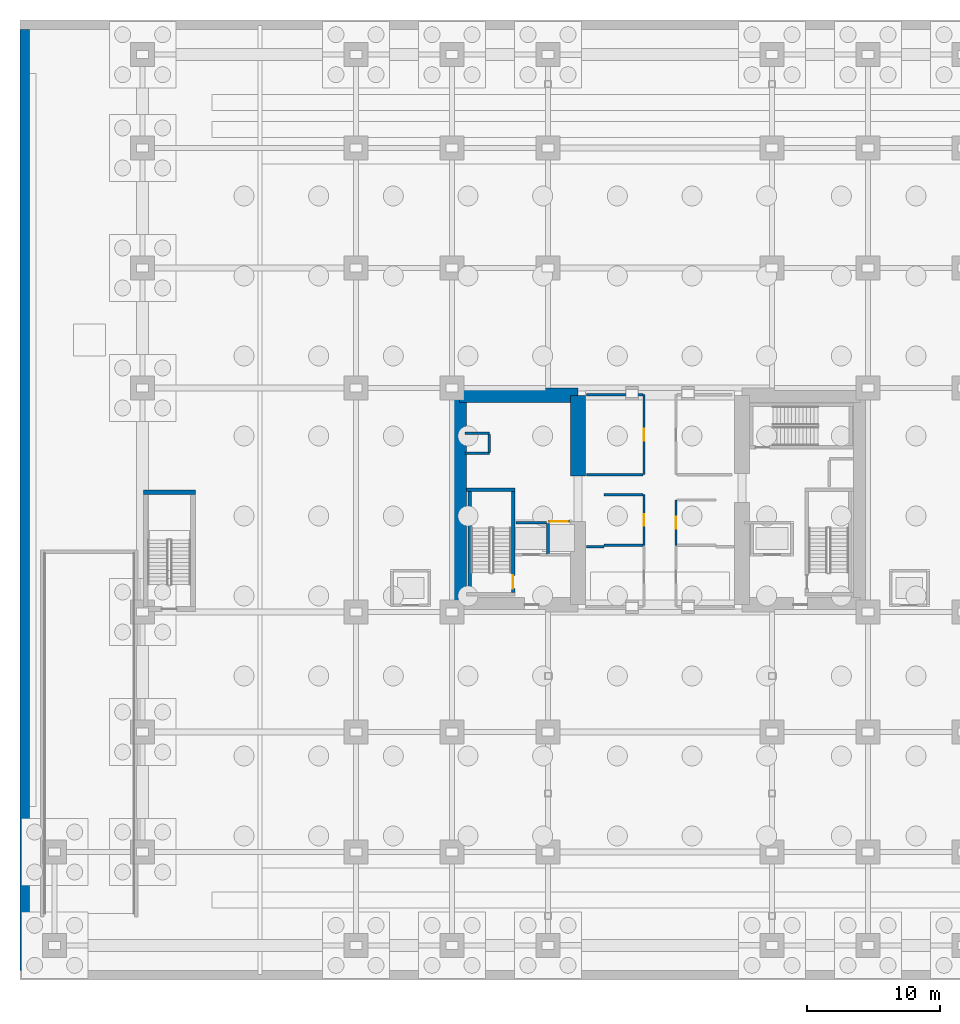
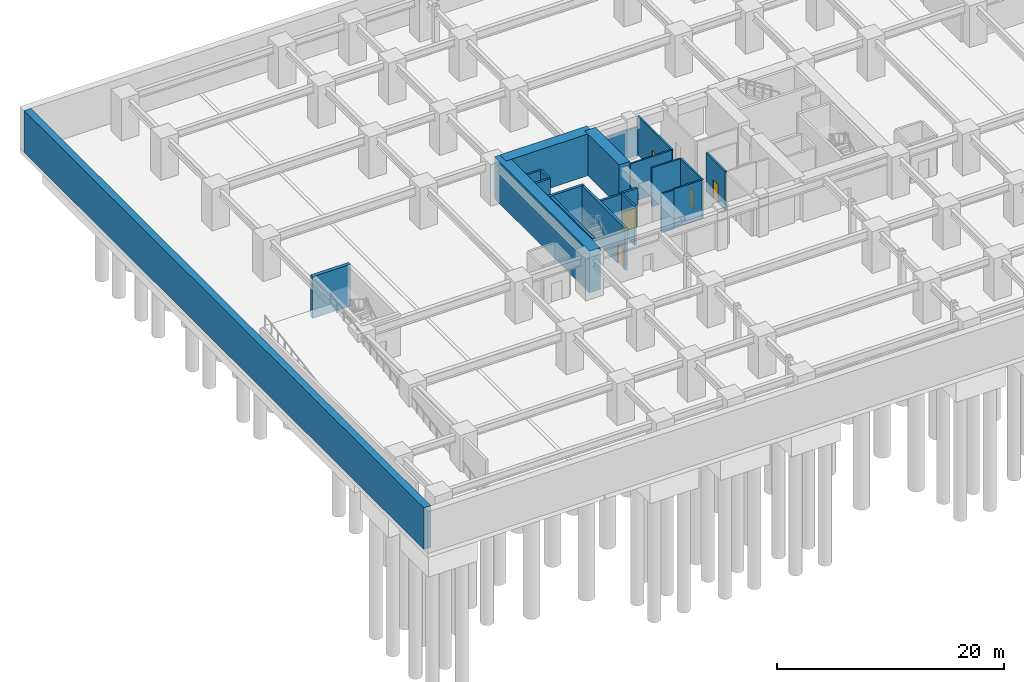
# One storey, part 12 of 23: 22 walls, 5 doors, 5 openings.
"""IFC4 building model written with IfcOpenShell, lengths in metres."""

from ifc_helpers import new_model, si_unit, direction, frame, frame_2d, origin, place, context, subcontext, project, spatial, rectangle, extrude, material, layer, layer_set, type_object, element, fill, save


model = new_model("IFC4")

# Units and contexts
model_context = context("Model", 3, precision=1e-05, world=origin(), true_north=direction((0.0, 1.0)))
body_context = subcontext(model_context, "Body", "Model", "MODEL_VIEW")
ifc_project = project(units=[si_unit("LENGTHUNIT", "METRE"), si_unit("AREAUNIT", "SQUARE_METRE"), si_unit("VOLUMEUNIT", "CUBIC_METRE"), si_unit("PLANEANGLEUNIT", "RADIAN"), si_unit("MASSUNIT", "GRAM", prefix="KILO")], contexts=[model_context])

# Site, building, storey
site_placement = place(None, origin())
site = spatial("IfcSite", under=ifc_project, at=site_placement, CompositionType="ELEMENT")
building_placement = place(site_placement, origin())
building = spatial("IfcBuilding", under=site, at=building_placement, Name="Kiyonajd Concourse Tower", CompositionType="ELEMENT")
storey_placement = place(building_placement, frame((0.0, 0.0, -9.0)))
storey = spatial("IfcBuildingStorey", under=building, at=storey_placement, Name="B2", CompositionType="ELEMENT", Elevation=-9.0)

# Walls
ifc_material_1 = material(Name="Concrete C80/95", Category="concrete")
ifc_layer_1 = layer(ifc_material_1, 1.10009765625)
ifc_layer_set_1 = layer_set([ifc_layer_1], Name="Concrete C80/95")
wall_type_1 = type_object("IfcWallType", Name="WL-CORE-1100", PredefinedType="SHEAR", material=ifc_layer_set_1)
wall_1_placement = place(storey_placement, frame((32.949951171875, 27.60009765625, 0.0), z_axis=(0.0, 0.0, 1.0), x_axis=(0.0, 1.0, 0.0)))
element("IfcWall", 1, at=wall_1_placement, inside=storey, type_object=wall_type_1, Name="B2 West Core Outer Shear Wall", PredefinedType="SHEAR", context=body_context, shape_type="SweptSolid", body=[
    extrude(rectangle(XDim=16.7998046875, YDim=1.10009765625, at=frame_2d((8.39990234375, 0.0))), origin(), (0.0, 0.0, 1.0), 4.5),
])
wall_2_placement = place(storey_placement, frame((41.85009765625, 37.800048828125, 0.0), z_axis=(0.0, 0.0, 1.0), x_axis=(0.0, 1.0, 0.0)))
element("IfcWall", 2, at=wall_2_placement, inside=storey, type_object=wall_type_1, Name="B2 West Core Inner North Shear Wall", PredefinedType="SHEAR", context=body_context, shape_type="SweptSolid", body=[
    extrude(rectangle(XDim=6.050048828125, YDim=1.10009765625, at=frame_2d((3.02490234375, 0.0))), origin(), (0.0, 0.0, 1.0), 4.5),
])
wall_3_placement = place(storey_placement, frame((32.949951171875, 43.85009765625, 0.0), z_axis=(0.0, 0.0, 1.0), x_axis=(1.0, 0.0, 0.0)))
element("IfcWall", 3, at=wall_3_placement, inside=storey, type_object=wall_type_1, Name="B2 West Core North Shear Wall", PredefinedType="SHEAR", context=body_context, shape_type="SweptSolid", body=[
    extrude(rectangle(XDim=8.900146484375, YDim=1.10009765625, at=frame_2d((4.4501953125, 0.0))), origin(), (0.0, 0.0, 1.0), 4.5),
])
ifc_material_2 = material(Name="Concrete C50/60", Category="concrete")
ifc_layer_2 = layer(ifc_material_2, 0.699951171875)
ifc_layer_set_2 = layer_set([ifc_layer_2], Name="Concrete C50/60")
wall_type_2 = type_object("IfcWallType", Name="WL-RET-700", PredefinedType="SOLIDWALL", material=ifc_layer_set_2)
wall_4_placement = place(storey_placement, frame((0.35009765625, 0.699951171875, 0.0), z_axis=(0.0, 0.0, 1.0), x_axis=(0.0, 1.0, 0.0)))
element("IfcWall", 4, at=wall_4_placement, inside=storey, type_object=wall_type_2, Name="B2 West Basement Retaining Wall", PredefinedType="SOLIDWALL", context=body_context, shape_type="SweptSolid", body=[
    extrude(rectangle(XDim=70.60009765625, YDim=0.699951171875, at=frame_2d((35.300048828125, 0.0))), origin(), (0.0, 0.0, 1.0), 4.5),
])
ifc_material_3 = material(Name="Gypsum Board on Cold-Formed Steel Stud", Category="steel")
ifc_layer_3 = layer(ifc_material_3, 0.2099609375)
ifc_layer_set_3 = layer_set([ifc_layer_3], Name="Gypsum Board on Cold-Formed Steel Stud")
wall_type_3 = type_object("IfcWallType", Name="WL-SHAFT-210", PredefinedType="PARTITIONING", material=ifc_layer_set_3)
for number, where, z_axis, x_axis, name in (
    (5, (33.360107421875, 39.5, 0.0), (0.0, 0.0, 1.0), (1.0, 0.0, 0.0), "B2 Shaft Enclosure Wall"),
    (6, (33.360107421875, 41.0, 0.0), (0.0, 0.0, 1.0), (1.0, 0.0, 0.0), "B2 Shaft Enclosure Wall"),
):
    element("IfcWall", number, at=place(storey_placement, frame(where, z_axis=z_axis, x_axis=x_axis)), inside=storey, type_object=wall_type_3, Name=name, PredefinedType="PARTITIONING", context=body_context, shape_type="SweptSolid", body=[
        extrude(rectangle(XDim=1.85986328125, YDim=0.2099609375, at=frame_2d((0.929931640625, 0.0))), origin(), (0.0, 0.0, 1.0), 4.179931640625),
    ])
wall_5_placement = place(storey_placement, frame((35.199951171875, 39.580078125, 0.0), z_axis=(0.0, 0.0, 1.0), x_axis=(0.0, 1.0, 0.0)))
element("IfcWall", 7, at=wall_5_placement, inside=storey, type_object=wall_type_3, Name="B2 Shaft Enclosure Wall", PredefinedType="PARTITIONING", context=body_context, shape_type="SweptSolid", body=[
    extrude(rectangle(XDim=1.33984375, YDim=0.2099609375, at=frame_2d((0.669921875, 0.0))), origin(), (0.0, 0.0, 1.0), 4.179931640625),
])
wall_6_placement = place(storey_placement, frame((37.199951171875, 34.300048828125, 0.0), z_axis=(0.0, 0.0, 1.0), x_axis=(1.0, 0.0, 0.0)))
element("IfcWall", 8, at=wall_6_placement, inside=storey, type_object=wall_type_3, Name="B2 Shaft Enclosure Wall", PredefinedType="PARTITIONING", context=body_context, shape_type="SweptSolid", body=[
    extrude(rectangle(XDim=2.300048828125, YDim=0.2099609375, at=frame_2d((1.14990234375, 0.0))), origin(), (0.0, 0.0, 1.0), 4.179931640625),
])
wall_7_placement = place(storey_placement, frame((39.60009765625, 31.9599609375, 0.0), z_axis=(0.0, 0.0, 1.0), x_axis=(0.0, 1.0, 0.0)))
element("IfcWall", 9, at=wall_7_placement, inside=storey, type_object=wall_type_3, Name="B2 Shaft Enclosure Wall", PredefinedType="PARTITIONING", context=body_context, shape_type="SweptSolid", body=[
    extrude(rectangle(XDim=2.280029296875, YDim=0.2099609375, at=frame_2d((1.14013671875, 0.0))), origin(), (0.0, 0.0, 1.0), 4.179931640625),
])

# Wall, opening, door
wall_8_placement = place(storey_placement, frame((39.60009765625, 34.39990234375, 0.0), z_axis=(0.0, 0.0, 1.0), x_axis=(1.0, 0.0, 0.0)))
wall_8 = element("IfcWall", 10, at=wall_8_placement, inside=storey, type_object=wall_type_3, Name="B2 Shaft Enclosure Wall", PredefinedType="PARTITIONING", context=body_context, shape_type="SweptSolid", body=[
    extrude(rectangle(XDim=1.599853515625, YDim=0.2099609375, at=frame_2d((0.7998046875, 0.0))), origin(), (0.0, 0.0, 1.0), 4.179931640625),
])
opening_1_placement = place(wall_8_placement, frame((0.10009765625, 0.0, 0.0)))
opening_1 = element("IfcOpeningElement", 11, at=opening_1_placement, cuts=wall_8, Name="Opening LD3", PredefinedType="OPENING", context=body_context, shape_type="SweptSolid", body=[
    extrude(rectangle(XDim=1.39990234375, YDim=2.06005859375, at=frame_2d((0.699951171875, 1.030029296875))), frame((0.0, 0.114990234375, 0.0), z_axis=(0.0, -1.0, 0.0), x_axis=(1.0, 0.0, 0.0)), (0.0, 0.0, 1.0), 0.22998046875),
])
ifc_material_4 = material(Name="Brushed Stainless Steel Cab Assembly", Category="steel")
door_type_1 = type_object("IfcDoorType", Name="DR-LD-1400", OperationType="DOUBLE_DOOR_SLIDING", PredefinedType="DOOR", material=ifc_material_4)
door_1_placement = place(opening_1_placement, origin())
door_1 = element("IfcDoor", 12, at=door_1_placement, inside=storey, type_object=door_type_1, Name="B2 Lift SVL1 Sliding Landing Door", OperationType="DOUBLE_DOOR_SLIDING", OverallHeight=2.06005859375, OverallWidth=1.39990234375, PredefinedType="DOOR", context=body_context, shape_type="SweptSolid", body=[
    extrude(rectangle(XDim=1.39990234375, YDim=2.06005859375, at=frame_2d((0.699951171875, 1.030029296875))), frame((0.0, 0.02490234375, 0.0), z_axis=(0.0, -1.0, 0.0), x_axis=(1.0, 0.0, 0.0)), (0.0, 0.0, 1.0), 0.050048828125),
])
fill(opening_1, door_1)

ifc_layer_4 = layer(ifc_material_3, 0.169921875)
ifc_layer_set_4 = layer_set([ifc_layer_4], Name="Gypsum Board on Cold-Formed Steel Stud")
wall_type_4 = type_object("IfcWallType", Name="WL-SMK-170", PredefinedType="PARTITIONING", material=ifc_layer_set_4)
wall_9_placement = place(storey_placement, frame((46.800048828125, 32.60009765625, 0.0), z_axis=(0.0, 0.0, 1.0), x_axis=(0.0, 1.0, 0.0)))
wall_9 = element("IfcWall", 13, at=wall_9_placement, inside=storey, type_object=wall_type_4, Name="B2 Interior Partition Wall", PredefinedType="PARTITIONING", context=body_context, shape_type="SweptSolid", body=[
    extrude(rectangle(XDim=3.7998046875, YDim=0.169921875, at=frame_2d((1.89990234375, 0.0))), origin(), (0.0, 0.0, 1.0), 4.179931640625),
])
opening_2_placement = place(wall_9_placement, frame((1.449951171875, 0.0, 0.0)))
opening_2 = element("IfcOpeningElement", 14, at=opening_2_placement, cuts=wall_9, Name="Opening DI2", PredefinedType="OPENING", context=body_context, shape_type="SweptSolid", body=[
    extrude(rectangle(XDim=0.89990234375, YDim=2.02001953125, at=frame_2d((0.449951171875, 1.010009765625))), frame((0.0, 0.094970703125, 0.0), z_axis=(0.0, -1.0, 0.0), x_axis=(1.0, 0.0, 0.0)), (0.0, 0.0, 1.0), 0.18994140625),
])
ifc_material_5 = material(Name="Natural Oak Acoustic Timber Veneer", Category="wood")
door_type_2 = type_object("IfcDoorType", Name="DR-INT-900", OperationType="NOTDEFINED", PredefinedType="DOOR", material=ifc_material_5)
door_2_placement = place(opening_2_placement, origin())
door_2 = element("IfcDoor", 15, at=door_2_placement, inside=storey, type_object=door_type_2, Name="B2 Interior Door", OperationType="SINGLE_SWING_LEFT", OverallHeight=2.02001953125, OverallWidth=0.89990234375, PredefinedType="DOOR", context=body_context, shape_type="SweptSolid", body=[
    extrude(rectangle(XDim=0.89990234375, YDim=2.02001953125, at=frame_2d((0.449951171875, 1.010009765625))), frame((0.0, 0.02490234375, 0.0), z_axis=(0.0, -1.0, 0.0), x_axis=(1.0, 0.0, 0.0)), (0.0, 0.0, 1.0), 0.050048828125),
])
fill(opening_2, door_2)

# Walls
for number, where, z_axis, x_axis, name in (
    (16, (43.800048828125, 32.60009765625, 0.0), (0.0, 0.0, 1.0), (1.0, 0.0, 0.0), "B2 Interior Partition Wall"),
    (17, (43.800048828125, 36.39990234375, 0.0), (0.0, 0.0, 1.0), (1.0, 0.0, 0.0), "B2 Interior Partition Wall"),
):
    element("IfcWall", number, at=place(storey_placement, frame(where, z_axis=z_axis, x_axis=x_axis)), inside=storey, type_object=wall_type_4, Name=name, PredefinedType="PARTITIONING", context=body_context, shape_type="SweptSolid", body=[
        extrude(rectangle(XDim=2.912841796875, YDim=0.169921875, at=frame_2d((1.45654296875, 0.0))), origin(), (0.0, 0.0, 1.0), 4.179931640625),
    ])

# Wall, opening, door
wall_10_placement = place(storey_placement, frame((49.199951171875, 32.60009765625, 0.0), z_axis=(0.0, 0.0, 1.0), x_axis=(0.0, 1.0, 0.0)))
wall_10 = element("IfcWall", 18, at=wall_10_placement, inside=storey, type_object=wall_type_4, Name="B2 Interior Partition Wall", PredefinedType="PARTITIONING", context=body_context, shape_type="SweptSolid", body=[
    extrude(rectangle(XDim=3.39990234375, YDim=0.169921875, at=frame_2d((1.699951171875, 0.0))), origin(), (0.0, 0.0, 1.0), 4.179931640625),
])
opening_3_placement = place(wall_10_placement, frame((1.25, 0.0, 0.0)))
opening_3 = element("IfcOpeningElement", 19, at=opening_3_placement, cuts=wall_10, Name="Opening DI2", PredefinedType="OPENING", context=body_context, shape_type="SweptSolid", body=[
    extrude(rectangle(XDim=0.89990234375, YDim=2.02001953125, at=frame_2d((0.449951171875, 1.010009765625))), frame((0.0, 0.094970703125, 0.0), z_axis=(0.0, -1.0, 0.0), x_axis=(1.0, 0.0, 0.0)), (0.0, 0.0, 1.0), 0.18994140625),
])
door_3_placement = place(opening_3_placement, origin())
door_3 = element("IfcDoor", 20, at=door_3_placement, inside=storey, type_object=door_type_2, Name="B2 Interior Door", OperationType="SINGLE_SWING_RIGHT", OverallHeight=2.02001953125, OverallWidth=0.89990234375, PredefinedType="DOOR", context=body_context, shape_type="SweptSolid", body=[
    extrude(rectangle(XDim=0.89990234375, YDim=2.02001953125, at=frame_2d((0.449951171875, 1.010009765625))), frame((0.0, 0.02490234375, 0.0), z_axis=(0.0, -1.0, 0.0), x_axis=(1.0, 0.0, 0.0)), (0.0, 0.0, 1.0), 0.050048828125),
])
fill(opening_3, door_3)

# Wall
wall_11_placement = place(storey_placement, frame((42.5, 32.5, 0.0), z_axis=(0.0, 0.0, 1.0), x_axis=(1.0, 0.0, 0.0)))
element("IfcWall", 21, at=wall_11_placement, inside=storey, type_object=wall_type_4, Name="B2 Interior Partition Wall", PredefinedType="PARTITIONING", context=body_context, shape_type="SweptSolid", body=[
    extrude(rectangle(XDim=1.300048828125, YDim=0.169921875, at=frame_2d((0.64990234375, 0.0))), origin(), (0.0, 0.0, 1.0), 4.179931640625),
])

# Wall, opening, door
wall_12_placement = place(storey_placement, frame((46.800048828125, 37.89990234375, 0.0), z_axis=(0.0, 0.0, 1.0), x_axis=(0.0, 1.0, 0.0)))
wall_12 = element("IfcWall", 22, at=wall_12_placement, inside=storey, type_object=wall_type_4, Name="B2 Interior Partition Wall", PredefinedType="PARTITIONING", context=body_context, shape_type="SweptSolid", body=[
    extrude(rectangle(XDim=6.0, YDim=0.169921875, at=frame_2d((3.0, 0.0))), origin(), (0.0, 0.0, 1.0), 4.179931640625),
])
opening_4_placement = place(wall_12_placement, frame((2.550048828125, 0.0, 0.0)))
opening_4 = element("IfcOpeningElement", 23, at=opening_4_placement, cuts=wall_12, Name="Opening DI2", PredefinedType="OPENING", context=body_context, shape_type="SweptSolid", body=[
    extrude(rectangle(XDim=0.89990234375, YDim=2.02001953125, at=frame_2d((0.449951171875, 1.010009765625))), frame((0.0, 0.094970703125, 0.0), z_axis=(0.0, -1.0, 0.0), x_axis=(1.0, 0.0, 0.0)), (0.0, 0.0, 1.0), 0.18994140625),
])
door_4_placement = place(opening_4_placement, origin())
door_4 = element("IfcDoor", 24, at=door_4_placement, inside=storey, type_object=door_type_2, Name="B2 Interior Door", OperationType="SINGLE_SWING_LEFT", OverallHeight=2.02001953125, OverallWidth=0.89990234375, PredefinedType="DOOR", context=body_context, shape_type="SweptSolid", body=[
    extrude(rectangle(XDim=0.89990234375, YDim=2.02001953125, at=frame_2d((0.449951171875, 1.010009765625))), frame((0.0, 0.02490234375, 0.0), z_axis=(0.0, -1.0, 0.0), x_axis=(1.0, 0.0, 0.0)), (0.0, 0.0, 1.0), 0.050048828125),
])
fill(opening_4, door_4)

# Walls
wall_13_placement = place(storey_placement, frame((42.5, 37.89990234375, 0.0), z_axis=(0.0, 0.0, 1.0), x_axis=(1.0, 0.0, 0.0)))
element("IfcWall", 25, at=wall_13_placement, inside=storey, type_object=wall_type_4, Name="B2 Interior Partition Wall", PredefinedType="PARTITIONING", context=body_context, shape_type="SweptSolid", body=[
    extrude(rectangle(XDim=4.212890625, YDim=0.169921875, at=frame_2d((2.1064453125, 0.0))), origin(), (0.0, 0.0, 1.0), 4.179931640625),
])
wall_14_placement = place(storey_placement, frame((42.5, 43.89990234375, 0.0), z_axis=(0.0, 0.0, 1.0), x_axis=(1.0, 0.0, 0.0)))
element("IfcWall", 26, at=wall_14_placement, inside=storey, type_object=wall_type_4, Name="B2 Interior Partition Wall", PredefinedType="PARTITIONING", context=body_context, shape_type="SweptSolid", body=[
    extrude(rectangle(XDim=4.212890625, YDim=0.169921875, at=frame_2d((2.1064453125, 0.0))), origin(), (0.0, 0.0, 1.0), 3.06494140625),
])
ifc_layer_5 = layer(ifc_material_2, 0.260009765625)
ifc_layer_set_5 = layer_set([ifc_layer_5], Name="Concrete C50/60")
wall_type_5 = type_object("IfcWallType", Name="WL-STAIR-260", PredefinedType="SHEAR", material=ifc_layer_set_5)
wall_15_placement = place(storey_placement, frame((33.5, 36.780029296875, 0.0), z_axis=(0.0, 0.0, 1.0), x_axis=(1.0, 0.0, 0.0)))
element("IfcWall", 27, at=wall_15_placement, inside=storey, type_object=wall_type_5, Name="B2 Stair ST1 Structural North Wall", PredefinedType="SHEAR", context=body_context, shape_type="SweptSolid", body=[
    extrude(rectangle(XDim=3.610107421875, YDim=0.260009765625, at=frame_2d((1.80517578125, 0.0))), origin(), (0.0, 0.0, 1.0), 4.5),
])
wall_16_placement = place(storey_placement, frame((33.719970703125, 29.050048828125, 0.0), z_axis=(0.0, 0.0, 1.0), x_axis=(0.0, 1.0, 0.0)))
element("IfcWall", 28, at=wall_16_placement, inside=storey, type_object=wall_type_5, Name="B2 Stair ST1 Structural West Wall", PredefinedType="SHEAR", context=body_context, shape_type="SweptSolid", body=[
    extrude(rectangle(XDim=7.599853515625, YDim=0.260009765625, at=frame_2d((3.7998046875, 0.0))), origin(), (0.0, 0.0, 1.0), 4.5),
])

# Wall, opening, door
wall_17_placement = place(storey_placement, frame((36.97998046875, 29.050048828125, 0.0), z_axis=(0.0, 0.0, 1.0), x_axis=(0.0, 1.0, 0.0)))
wall_17 = element("IfcWall", 29, at=wall_17_placement, inside=storey, type_object=wall_type_5, Name="B2 Stair ST1 Structural East Wall", PredefinedType="SHEAR", context=body_context, shape_type="SweptSolid", body=[
    extrude(rectangle(XDim=7.599853515625, YDim=0.260009765625, at=frame_2d((3.7998046875, 0.0))), origin(), (0.0, 0.0, 1.0), 4.5),
])
opening_5_placement = place(wall_17_placement, frame((0.300048828125, 0.0, 0.0)))
opening_5 = element("IfcOpeningElement", 30, at=opening_5_placement, cuts=wall_17, Name="Opening DF1", PredefinedType="OPENING", context=body_context, shape_type="SweptSolid", body=[
    extrude(rectangle(XDim=1.0, YDim=2.0400390625, at=frame_2d((0.5, 1.02001953125))), frame((0.0, 0.139892578125, 0.0), z_axis=(0.0, -1.0, 0.0), x_axis=(1.0, 0.0, 0.0)), (0.0, 0.0, 1.0), 0.280029296875),
])
door_type_3 = type_object("IfcDoorType", Name="DR-FD90-1000", OperationType="NOTDEFINED", PredefinedType="DOOR", material=ifc_material_4)
door_5_placement = place(opening_5_placement, origin())
door_5 = element("IfcDoor", 31, at=door_5_placement, inside=storey, type_object=door_type_3, Name="B2 Stair ST1 FSAE Door", OperationType="SINGLE_SWING_LEFT", OverallHeight=2.0400390625, OverallWidth=1.0, PredefinedType="DOOR", context=body_context, shape_type="SweptSolid", body=[
    extrude(rectangle(XDim=1.0, YDim=2.0400390625, at=frame_2d((0.5, 1.02001953125))), frame((0.0, 0.02490234375, 0.0), z_axis=(0.0, -1.0, 0.0), x_axis=(1.0, 0.0, 0.0)), (0.0, 0.0, 1.0), 0.050048828125),
])
fill(opening_5, door_5)

# Wall
ifc_layer_6 = layer(ifc_material_2, 0.35009765625)
ifc_layer_set_6 = layer_set([ifc_layer_6], Name="Concrete C50/60")
wall_type_6 = type_object("IfcWallType", Name="WL-STAIR-350", PredefinedType="SHEAR", material=ifc_layer_set_6)
wall_18_placement = place(storey_placement, frame((9.25, 36.574951171875, 0.0), z_axis=(0.0, 0.0, 1.0), x_axis=(1.0, 0.0, 0.0)))
element("IfcWall", 32, at=wall_18_placement, inside=storey, type_object=wall_type_6, Name="B2 Stair ST4 Structural North Wall", PredefinedType="SHEAR", context=body_context, shape_type="SweptSolid", body=[
    extrude(rectangle(XDim=3.89990234375, YDim=0.35009765625, at=frame_2d((1.949951171875, 0.0))), origin(), (0.0, 0.0, 1.0), 4.5),
])

save(model, "model.ifc")
